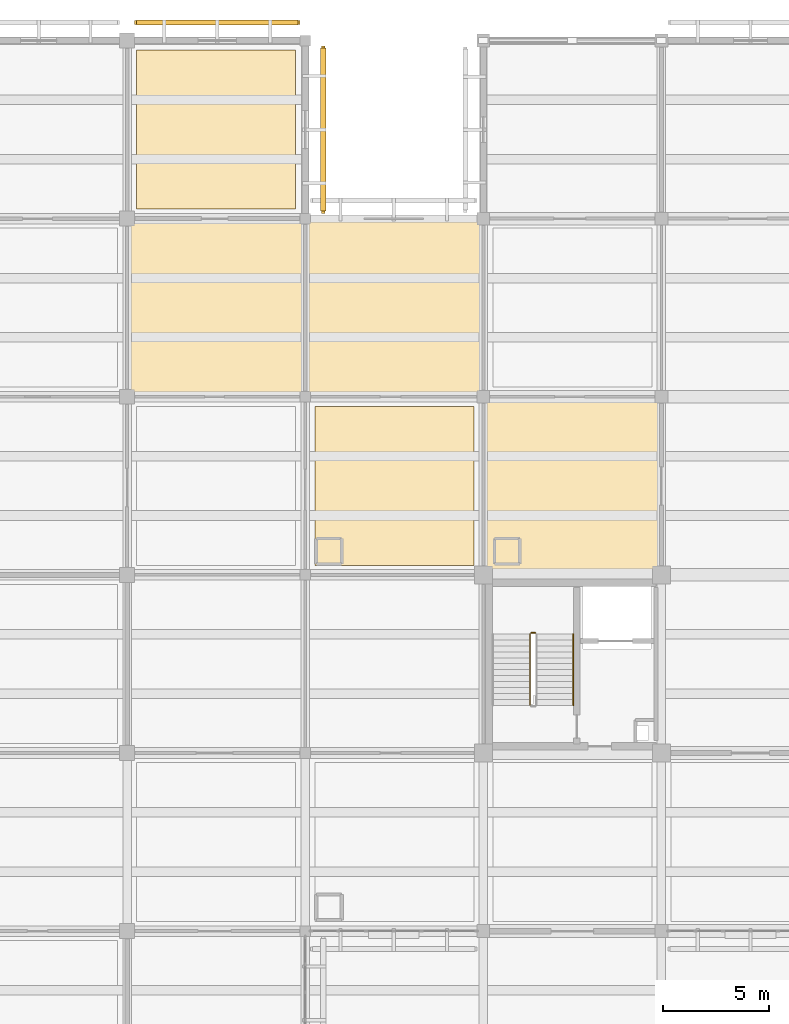
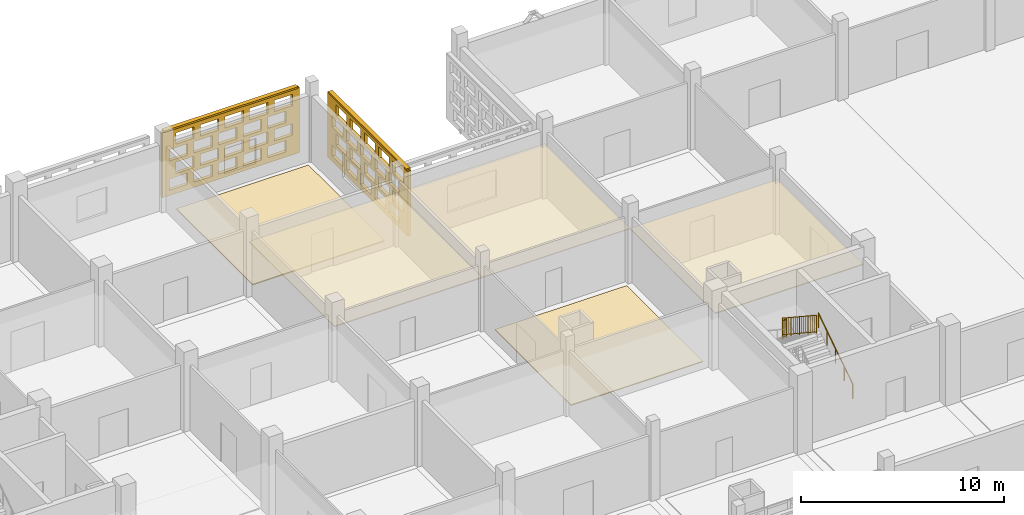
# One storey, part 102 of 129: 7 coverings, 3 railings, 2 shading devices, 40 openings.
"""IFC4 building model written with IfcOpenShell, lengths in metres."""

from ifc_helpers import new_model, si_unit, direction, frame, frame_2d, origin, origin_2d, place, context, subcontext, project, spatial, rectangle, circle, extrude, material, layer, layer_set, type_object, element, save


model = new_model("IFC4")

# Units and contexts
model_context = context("Model", 3, precision=1e-05, world=origin(), true_north=direction((0.0, 1.0)))
body_context = subcontext(model_context, "Body", "Model", "MODEL_VIEW")
ifc_project = project(units=[si_unit("LENGTHUNIT", "METRE"), si_unit("AREAUNIT", "SQUARE_METRE"), si_unit("VOLUMEUNIT", "CUBIC_METRE"), si_unit("PLANEANGLEUNIT", "RADIAN"), si_unit("MASSUNIT", "GRAM", prefix="KILO")], contexts=[model_context])

# Site, building, storey
site_placement = place(None, origin())
site = spatial("IfcSite", under=ifc_project, at=site_placement, CompositionType="ELEMENT")
building_placement = place(site_placement, origin())
building = spatial("IfcBuilding", under=site, at=building_placement, Name="Varnapada Polytechnic", CompositionType="ELEMENT")
storey_placement = place(building_placement, origin())
storey = spatial("IfcBuildingStorey", under=building, at=storey_placement, Name="L00", CompositionType="ELEMENT", Elevation=0.0)

# Coverings
ifc_material_1 = material(Name="Anti-Static Raised Laboratory Flooring")
ifc_layer_1 = layer(ifc_material_1, 0.06005859375)
ifc_layer_set_1 = layer_set([ifc_layer_1], Name="Anti-Static Raised Laboratory Flooring")
covering_type_1 = type_object("IfcCoveringType", Name="Floor Finish FLR-02", PredefinedType="FLOORING", material=ifc_layer_set_1)
covering_1_placement = place(storey_placement, frame((37.800048828125, 121.800048828125, 0.0), z_axis=(0.0, 0.0, 1.0), x_axis=(1.0, 0.0, 0.0)))
element("IfcCovering", 1, at=covering_1_placement, inside=storey, type_object=covering_type_1, Name="L00 floor finish panel (5,15)", PredefinedType="FLOORING", context=body_context, shape_type="SweptSolid", body=[
    extrude(rectangle(XDim=7.5, YDim=7.5, at=origin_2d()), origin(), (0.0, 0.0, 1.0), 0.06005859375),
])
ifc_material_2 = material(Name="End-Grain Timber Studio Block Flooring", Category="wood")
ifc_layer_2 = layer(ifc_material_2, 0.054931640625)
ifc_layer_set_2 = layer_set([ifc_layer_2], Name="End-Grain Timber Studio Block Flooring")
covering_type_2 = type_object("IfcCoveringType", Name="Floor Finish FLR-04", PredefinedType="FLOORING", material=ifc_layer_set_2)
covering_2_placement = place(storey_placement, frame((46.199951171875, 105.0, 0.0), z_axis=(0.0, 0.0, 1.0), x_axis=(1.0, 0.0, 0.0)))
element("IfcCovering", 2, at=covering_2_placement, inside=storey, type_object=covering_type_2, Name="L00 floor finish panel (6,13)", PredefinedType="FLOORING", context=body_context, shape_type="SweptSolid", body=[
    extrude(rectangle(XDim=7.5, YDim=7.5, at=origin_2d()), origin(), (0.0, 0.0, 1.0), 0.054931640625),
])

# Railings
ifc_material_3 = material(Name="Brushed Stainless Steel 316", Category="steel")
railing_type_1 = type_object("IfcRailingType", Name="Stair Wall Handrail SHR-01", PredefinedType="HANDRAIL", material=ifc_material_3)
railing_1_placement = place(storey_placement, frame((54.64990234375, 94.64990234375, 0.1845703125)))
element("IfcRailing", 3, at=railing_1_placement, inside=storey, type_object=railing_type_1, Name="L00 ST-4 stair handrail 1", PredefinedType="HANDRAIL", context=body_context, shape_type="SweptSolid", body=[
    extrude(circle(Radius=0.02392578125, at=origin_2d()), frame((0.0, 0.0, 0.8759765625), z_axis=(0.0, 0.834876476806, 0.550437342915), x_axis=(-1.0, 0.0, 0.0)), (0.0, 0.0, 1.0), 4.024658203125),
    extrude(circle(Radius=0.02099609375, at=origin_2d()), origin(), (0.0, 0.0, 1.0), 0.851806640625),
    extrude(circle(Radius=0.02099609375, at=origin_2d()), frame((0.0, 0.840087890625, 0.5537109375)), (0.0, 0.0, 1.0), 0.851806640625),
    extrude(circle(Radius=0.02099609375, at=origin_2d()), frame((0.0, 1.68017578125, 1.107666015625)), (0.0, 0.0, 1.0), 0.851806640625),
    extrude(circle(Radius=0.02099609375, at=origin_2d()), frame((0.0, 2.52001953125, 1.66162109375)), (0.0, 0.0, 1.0), 0.851806640625),
    extrude(circle(Radius=0.02099609375, at=origin_2d()), frame((0.0, 3.360107421875, 2.21533203125)), (0.0, 0.0, 1.0), 0.851806640625),
])
railing_type_2 = type_object("IfcRailingType", Name="Stair Well Guard Rail SGR-01", PredefinedType="BALUSTRADE", material=ifc_material_3)
railing_2_placement = place(storey_placement, frame((52.85009765625, 98.06005859375, 2.39990234375)))
element("IfcRailing", 4, at=railing_2_placement, inside=storey, type_object=railing_type_2, Name="L00 ST-4 stair guard 2", PredefinedType="BALUSTRADE", context=body_context, shape_type="SweptSolid", body=[
    extrude(circle(Radius=0.02392578125, at=origin_2d()), frame((0.0, 0.0, 1.09619140625), z_axis=(-1.0, 0.0, 0.0), x_axis=(0.0, -1.0, 0.0)), (0.0, 0.0, 1.0), 0.2001953125),
    extrude(circle(Radius=0.02392578125, at=origin_2d()), frame((0.0, 0.0, 0.10009765625), z_axis=(-1.0, 0.0, 0.0), x_axis=(0.0, -1.0, 0.0)), (0.0, 0.0, 1.0), 0.2001953125),
    extrude(circle(Radius=0.02099609375, at=origin_2d()), origin(), (0.0, 0.0, 1.0), 1.072021484375),
    extrude(circle(Radius=0.02099609375, at=origin_2d()), frame((-0.2001953125, 0.0, 0.0)), (0.0, 0.0, 1.0), 1.072021484375),
])
railing_3_placement = place(storey_placement, frame((52.60009765625, 98.010009765625, 2.584716796875)))
element("IfcRailing", 5, at=railing_3_placement, inside=storey, type_object=railing_type_2, Name="L00 ST-4 stair guard 3", PredefinedType="BALUSTRADE", context=body_context, shape_type="SweptSolid", body=[
    extrude(circle(Radius=0.02392578125, at=origin_2d()), frame((0.0, 0.0, 1.09619140625), z_axis=(0.0, -0.834876476806, 0.550437342915), x_axis=(1.0, 0.0, 0.0)), (0.0, 0.0, 1.0), 4.024658203125),
    extrude(circle(Radius=0.02392578125, at=origin_2d()), frame((0.0, 0.0, 0.10009765625), z_axis=(0.0, -0.834876476806, 0.550437342915), x_axis=(1.0, 0.0, 0.0)), (0.0, 0.0, 1.0), 4.024658203125),
    extrude(circle(Radius=0.02099609375, at=origin_2d()), origin(), (0.0, 0.0, 1.0), 1.072021484375),
    extrude(circle(Radius=0.02099609375, at=origin_2d()), frame((0.0, -0.840087890625, 0.5537109375)), (0.0, 0.0, 1.0), 1.072021484375),
    extrude(circle(Radius=0.02099609375, at=origin_2d()), frame((0.0, -1.68017578125, 1.107666015625)), (0.0, 0.0, 1.0), 1.072021484375),
    extrude(circle(Radius=0.02099609375, at=origin_2d()), frame((0.0, -2.52001953125, 1.66162109375)), (0.0, 0.0, 1.0), 1.072021484375),
    extrude(circle(Radius=0.02099609375, at=origin_2d()), frame((0.0, -3.360107421875, 2.21533203125)), (0.0, 0.0, 1.0), 1.072021484375),
    extrude(circle(Radius=0.010009765625, at=origin_2d()), frame((0.0, -0.2099609375, 0.238525390625)), (0.0, 0.0, 1.0), 0.971923828125),
    extrude(circle(Radius=0.010009765625, at=origin_2d()), frame((0.0, -0.419921875, 0.376953125)), (0.0, 0.0, 1.0), 0.971923828125),
    extrude(circle(Radius=0.010009765625, at=origin_2d()), frame((0.0, -0.630126953125, 0.515380859375)), (0.0, 0.0, 1.0), 0.971923828125),
    extrude(circle(Radius=0.010009765625, at=origin_2d()), frame((0.0, -0.840087890625, 0.65380859375)), (0.0, 0.0, 1.0), 0.971923828125),
    extrude(circle(Radius=0.010009765625, at=origin_2d()), frame((0.0, -1.050048828125, 0.79248046875)), (0.0, 0.0, 1.0), 0.971923828125),
    extrude(circle(Radius=0.010009765625, at=origin_2d()), frame((0.0, -1.260009765625, 0.930908203125)), (0.0, 0.0, 1.0), 0.971923828125),
    extrude(circle(Radius=0.010009765625, at=origin_2d()), frame((0.0, -1.469970703125, 1.0693359375)), (0.0, 0.0, 1.0), 0.971923828125),
    extrude(circle(Radius=0.010009765625, at=origin_2d()), frame((0.0, -1.68017578125, 1.207763671875)), (0.0, 0.0, 1.0), 0.971923828125),
    extrude(circle(Radius=0.010009765625, at=origin_2d()), frame((0.0, -1.89013671875, 1.34619140625)), (0.0, 0.0, 1.0), 0.971923828125),
    extrude(circle(Radius=0.010009765625, at=origin_2d()), frame((0.0, -2.10009765625, 1.484619140625)), (0.0, 0.0, 1.0), 0.971923828125),
    extrude(circle(Radius=0.010009765625, at=origin_2d()), frame((0.0, -2.31005859375, 1.623046875)), (0.0, 0.0, 1.0), 0.971923828125),
    extrude(circle(Radius=0.010009765625, at=origin_2d()), frame((0.0, -2.52001953125, 1.76171875)), (0.0, 0.0, 1.0), 0.971923828125),
    extrude(circle(Radius=0.010009765625, at=origin_2d()), frame((0.0, -2.72998046875, 1.900146484375)), (0.0, 0.0, 1.0), 0.971923828125),
    extrude(circle(Radius=0.010009765625, at=origin_2d()), frame((0.0, -2.940185546875, 2.03857421875)), (0.0, 0.0, 1.0), 0.971923828125),
    extrude(circle(Radius=0.010009765625, at=origin_2d()), frame((0.0, -3.150146484375, 2.177001953125)), (0.0, 0.0, 1.0), 0.971923828125),
])

# Coverings
ifc_material_4 = material(Name="Mineral Fibre Acoustic Ceiling Tile")
ifc_layer_3 = layer(ifc_material_4, 0.0400390625)
ifc_layer_set_3 = layer_set([ifc_layer_3], Name="Mineral Fibre Acoustic Ceiling Tile")
covering_type_3 = type_object("IfcCoveringType", Name="Suspended Ceiling CLG-01", PredefinedType="CEILING", material=ifc_layer_set_3)
covering_3_placement = place(storey_placement, frame((46.199951171875, 113.39990234375, 3.030029296875), z_axis=(0.0, 0.0, 1.0), x_axis=(1.0, 0.0, 0.0)))
element("IfcCovering", 6, at=covering_3_placement, inside=storey, type_object=covering_type_3, Name="L00 suspended acoustic ceiling (6,14)", PredefinedType="CEILING", context=body_context, shape_type="SweptSolid", body=[
    extrude(rectangle(XDim=8.419921875, YDim=8.419921875, at=origin_2d()), origin(), (0.0, 0.0, 1.0), 0.0400390625),
])
ifc_material_5 = material(Name="Slatted Merbau Timber Acoustic Ceiling", Category="wood")
ifc_layer_4 = layer(ifc_material_5, 0.054931640625)
ifc_layer_set_4 = layer_set([ifc_layer_4], Name="Slatted Merbau Timber Acoustic Ceiling")
covering_type_4 = type_object("IfcCoveringType", Name="Suspended Ceiling CLG-05", PredefinedType="CEILING", material=ifc_layer_set_4)
for number, where, z_axis, x_axis, name in (
    (7, (37.800048828125, 113.39990234375, 3.0224609375), (0.0, 0.0, 1.0), (1.0, 0.0, 0.0), "L00 suspended acoustic ceiling (5,14)"),
    (8, (54.60009765625, 105.0, 3.0224609375), (0.0, 0.0, 1.0), (1.0, 0.0, 0.0), "L00 suspended acoustic ceiling (7,13)"),
):
    element("IfcCovering", number, at=place(storey_placement, frame(where, z_axis=z_axis, x_axis=x_axis)), inside=storey, type_object=covering_type_4, Name=name, PredefinedType="CEILING", context=body_context, shape_type="SweptSolid", body=[
        extrude(rectangle(XDim=8.419921875, YDim=8.419921875, at=origin_2d()), origin(), (0.0, 0.0, 1.0), 0.054931640625),
    ])

# Covering, openings
ifc_material_6 = material(Name="Earth-toned architectural terracotta screen block", Category="masonry")
ifc_layer_5 = layer(ifc_material_6, 0.1201171875)
ifc_layer_set_5 = layer_set([ifc_layer_5], Name="Earth-toned architectural terracotta screen block")
covering_type_5 = type_object("IfcCoveringType", Name="Terracotta Screen Cladding CLD-01", PredefinedType="CLADDING", material=ifc_layer_set_5)
covering_4_placement = place(storey_placement, frame((33.949951171875, 126.85009765625, 0.0), z_axis=(0.0, 0.0, 1.0), x_axis=(1.0, 0.0, 0.0)))
covering_4 = element("IfcCovering", 9, at=covering_4_placement, inside=storey, type_object=covering_type_5, Name="L00 perforated terracotta block screen (30)", PredefinedType="CLADDING", context=body_context, shape_type="SweptSolid", body=[
    extrude(rectangle(XDim=7.800048828125, YDim=0.179931640625, at=frame_2d((3.89990234375, 0.0))), origin(), (0.0, 0.0, 1.0), 3.919921875),
])
opening_1_placement = place(covering_4_placement, frame((0.39990234375, 0.0, 0.313720703125)))
element("IfcOpeningElement", 10, at=opening_1_placement, cuts=covering_4, Name="Screen perforation TBS-L00-029.1", PredefinedType="OPENING", context=body_context, shape_type="SweptSolid", body=[
    extrude(rectangle(XDim=1.0400390625, YDim=0.679931640625, at=frame_2d((0.52001953125, 0.33984375))), frame((0.0, 0.099853515625, 0.0), z_axis=(0.0, -1.0, 0.0), x_axis=(1.0, 0.0, 0.0)), (0.0, 0.0, 1.0), 0.199951171875),
])
opening_2_placement = place(covering_4_placement, frame((1.800048828125, 0.0, 0.313720703125)))
element("IfcOpeningElement", 11, at=opening_2_placement, cuts=covering_4, Name="Screen perforation TBS-L00-029.2", PredefinedType="OPENING", context=body_context, shape_type="SweptSolid", body=[
    extrude(rectangle(XDim=1.0400390625, YDim=0.679931640625, at=frame_2d((0.52001953125, 0.33984375))), frame((0.0, 0.099853515625, 0.0), z_axis=(0.0, -1.0, 0.0), x_axis=(1.0, 0.0, 0.0)), (0.0, 0.0, 1.0), 0.199951171875),
])
opening_3_placement = place(covering_4_placement, frame((3.199951171875, 0.0, 0.313720703125)))
element("IfcOpeningElement", 12, at=opening_3_placement, cuts=covering_4, Name="Screen perforation TBS-L00-029.3", PredefinedType="OPENING", context=body_context, shape_type="SweptSolid", body=[
    extrude(rectangle(XDim=1.0400390625, YDim=0.679931640625, at=frame_2d((0.52001953125, 0.33984375))), frame((0.0, 0.099853515625, 0.0), z_axis=(0.0, -1.0, 0.0), x_axis=(1.0, 0.0, 0.0)), (0.0, 0.0, 1.0), 0.199951171875),
])
opening_4_placement = place(covering_4_placement, frame((4.60009765625, 0.0, 0.313720703125)))
element("IfcOpeningElement", 13, at=opening_4_placement, cuts=covering_4, Name="Screen perforation TBS-L00-029.4", PredefinedType="OPENING", context=body_context, shape_type="SweptSolid", body=[
    extrude(rectangle(XDim=1.0400390625, YDim=0.679931640625, at=frame_2d((0.52001953125, 0.33984375))), frame((0.0, 0.099853515625, 0.0), z_axis=(0.0, -1.0, 0.0), x_axis=(1.0, 0.0, 0.0)), (0.0, 0.0, 1.0), 0.199951171875),
])
opening_5_placement = place(covering_4_placement, frame((6.0, 0.0, 0.313720703125)))
element("IfcOpeningElement", 14, at=opening_5_placement, cuts=covering_4, Name="Screen perforation TBS-L00-029.5", PredefinedType="OPENING", context=body_context, shape_type="SweptSolid", body=[
    extrude(rectangle(XDim=1.0400390625, YDim=0.679931640625, at=frame_2d((0.52001953125, 0.33984375))), frame((0.0, 0.099853515625, 0.0), z_axis=(0.0, -1.0, 0.0), x_axis=(1.0, 0.0, 0.0)), (0.0, 0.0, 1.0), 0.199951171875),
])
opening_6_placement = place(covering_4_placement, frame((0.760009765625, 0.0, 1.195556640625)))
element("IfcOpeningElement", 15, at=opening_6_placement, cuts=covering_4, Name="Screen perforation TBS-L00-029.6", PredefinedType="OPENING", context=body_context, shape_type="SweptSolid", body=[
    extrude(rectangle(XDim=1.0400390625, YDim=0.679931640625, at=frame_2d((0.52001953125, 0.33984375))), frame((0.0, 0.099853515625, 0.0), z_axis=(0.0, -1.0, 0.0), x_axis=(1.0, 0.0, 0.0)), (0.0, 0.0, 1.0), 0.199951171875),
])
opening_7_placement = place(covering_4_placement, frame((2.159912109375, 0.0, 1.195556640625)))
element("IfcOpeningElement", 16, at=opening_7_placement, cuts=covering_4, Name="Screen perforation TBS-L00-029.7", PredefinedType="OPENING", context=body_context, shape_type="SweptSolid", body=[
    extrude(rectangle(XDim=1.0400390625, YDim=0.679931640625, at=frame_2d((0.52001953125, 0.33984375))), frame((0.0, 0.099853515625, 0.0), z_axis=(0.0, -1.0, 0.0), x_axis=(1.0, 0.0, 0.0)), (0.0, 0.0, 1.0), 0.199951171875),
])
opening_8_placement = place(covering_4_placement, frame((3.56005859375, 0.0, 1.195556640625)))
element("IfcOpeningElement", 17, at=opening_8_placement, cuts=covering_4, Name="Screen perforation TBS-L00-029.8", PredefinedType="OPENING", context=body_context, shape_type="SweptSolid", body=[
    extrude(rectangle(XDim=1.0400390625, YDim=0.679931640625, at=frame_2d((0.52001953125, 0.33984375))), frame((0.0, 0.099853515625, 0.0), z_axis=(0.0, -1.0, 0.0), x_axis=(1.0, 0.0, 0.0)), (0.0, 0.0, 1.0), 0.199951171875),
])
opening_9_placement = place(covering_4_placement, frame((4.9599609375, 0.0, 1.195556640625)))
element("IfcOpeningElement", 18, at=opening_9_placement, cuts=covering_4, Name="Screen perforation TBS-L00-029.9", PredefinedType="OPENING", context=body_context, shape_type="SweptSolid", body=[
    extrude(rectangle(XDim=1.0400390625, YDim=0.679931640625, at=frame_2d((0.52001953125, 0.33984375))), frame((0.0, 0.099853515625, 0.0), z_axis=(0.0, -1.0, 0.0), x_axis=(1.0, 0.0, 0.0)), (0.0, 0.0, 1.0), 0.199951171875),
])
opening_10_placement = place(covering_4_placement, frame((6.360107421875, 0.0, 1.195556640625)))
element("IfcOpeningElement", 19, at=opening_10_placement, cuts=covering_4, Name="Screen perforation TBS-L00-029.10", PredefinedType="OPENING", context=body_context, shape_type="SweptSolid", body=[
    extrude(rectangle(XDim=1.0400390625, YDim=0.679931640625, at=frame_2d((0.52001953125, 0.33984375))), frame((0.0, 0.099853515625, 0.0), z_axis=(0.0, -1.0, 0.0), x_axis=(1.0, 0.0, 0.0)), (0.0, 0.0, 1.0), 0.199951171875),
])
opening_11_placement = place(covering_4_placement, frame((0.39990234375, 0.0, 2.07763671875)))
element("IfcOpeningElement", 20, at=opening_11_placement, cuts=covering_4, Name="Screen perforation TBS-L00-029.11", PredefinedType="OPENING", context=body_context, shape_type="SweptSolid", body=[
    extrude(rectangle(XDim=1.0400390625, YDim=0.679931640625, at=frame_2d((0.52001953125, 0.33984375))), frame((0.0, 0.099853515625, 0.0), z_axis=(0.0, -1.0, 0.0), x_axis=(1.0, 0.0, 0.0)), (0.0, 0.0, 1.0), 0.199951171875),
])
opening_12_placement = place(covering_4_placement, frame((1.800048828125, 0.0, 2.07763671875)))
element("IfcOpeningElement", 21, at=opening_12_placement, cuts=covering_4, Name="Screen perforation TBS-L00-029.12", PredefinedType="OPENING", context=body_context, shape_type="SweptSolid", body=[
    extrude(rectangle(XDim=1.0400390625, YDim=0.679931640625, at=frame_2d((0.52001953125, 0.33984375))), frame((0.0, 0.099853515625, 0.0), z_axis=(0.0, -1.0, 0.0), x_axis=(1.0, 0.0, 0.0)), (0.0, 0.0, 1.0), 0.199951171875),
])
opening_13_placement = place(covering_4_placement, frame((3.199951171875, 0.0, 2.07763671875)))
element("IfcOpeningElement", 22, at=opening_13_placement, cuts=covering_4, Name="Screen perforation TBS-L00-029.13", PredefinedType="OPENING", context=body_context, shape_type="SweptSolid", body=[
    extrude(rectangle(XDim=1.0400390625, YDim=0.679931640625, at=frame_2d((0.52001953125, 0.33984375))), frame((0.0, 0.099853515625, 0.0), z_axis=(0.0, -1.0, 0.0), x_axis=(1.0, 0.0, 0.0)), (0.0, 0.0, 1.0), 0.199951171875),
])
opening_14_placement = place(covering_4_placement, frame((4.60009765625, 0.0, 2.07763671875)))
element("IfcOpeningElement", 23, at=opening_14_placement, cuts=covering_4, Name="Screen perforation TBS-L00-029.14", PredefinedType="OPENING", context=body_context, shape_type="SweptSolid", body=[
    extrude(rectangle(XDim=1.0400390625, YDim=0.679931640625, at=frame_2d((0.52001953125, 0.33984375))), frame((0.0, 0.099853515625, 0.0), z_axis=(0.0, -1.0, 0.0), x_axis=(1.0, 0.0, 0.0)), (0.0, 0.0, 1.0), 0.199951171875),
])
opening_15_placement = place(covering_4_placement, frame((6.0, 0.0, 2.07763671875)))
element("IfcOpeningElement", 24, at=opening_15_placement, cuts=covering_4, Name="Screen perforation TBS-L00-029.15", PredefinedType="OPENING", context=body_context, shape_type="SweptSolid", body=[
    extrude(rectangle(XDim=1.0400390625, YDim=0.679931640625, at=frame_2d((0.52001953125, 0.33984375))), frame((0.0, 0.099853515625, 0.0), z_axis=(0.0, -1.0, 0.0), x_axis=(1.0, 0.0, 0.0)), (0.0, 0.0, 1.0), 0.199951171875),
])
opening_16_placement = place(covering_4_placement, frame((0.760009765625, 0.0, 2.959716796875)))
element("IfcOpeningElement", 25, at=opening_16_placement, cuts=covering_4, Name="Screen perforation TBS-L00-029.16", PredefinedType="OPENING", context=body_context, shape_type="SweptSolid", body=[
    extrude(rectangle(XDim=1.0400390625, YDim=0.679931640625, at=frame_2d((0.52001953125, 0.33984375))), frame((0.0, 0.099853515625, 0.0), z_axis=(0.0, -1.0, 0.0), x_axis=(1.0, 0.0, 0.0)), (0.0, 0.0, 1.0), 0.199951171875),
])
opening_17_placement = place(covering_4_placement, frame((2.159912109375, 0.0, 2.959716796875)))
element("IfcOpeningElement", 26, at=opening_17_placement, cuts=covering_4, Name="Screen perforation TBS-L00-029.17", PredefinedType="OPENING", context=body_context, shape_type="SweptSolid", body=[
    extrude(rectangle(XDim=1.0400390625, YDim=0.679931640625, at=frame_2d((0.52001953125, 0.33984375))), frame((0.0, 0.099853515625, 0.0), z_axis=(0.0, -1.0, 0.0), x_axis=(1.0, 0.0, 0.0)), (0.0, 0.0, 1.0), 0.199951171875),
])
opening_18_placement = place(covering_4_placement, frame((3.56005859375, 0.0, 2.959716796875)))
element("IfcOpeningElement", 27, at=opening_18_placement, cuts=covering_4, Name="Screen perforation TBS-L00-029.18", PredefinedType="OPENING", context=body_context, shape_type="SweptSolid", body=[
    extrude(rectangle(XDim=1.0400390625, YDim=0.679931640625, at=frame_2d((0.52001953125, 0.33984375))), frame((0.0, 0.099853515625, 0.0), z_axis=(0.0, -1.0, 0.0), x_axis=(1.0, 0.0, 0.0)), (0.0, 0.0, 1.0), 0.199951171875),
])
opening_19_placement = place(covering_4_placement, frame((4.9599609375, 0.0, 2.959716796875)))
element("IfcOpeningElement", 28, at=opening_19_placement, cuts=covering_4, Name="Screen perforation TBS-L00-029.19", PredefinedType="OPENING", context=body_context, shape_type="SweptSolid", body=[
    extrude(rectangle(XDim=1.0400390625, YDim=0.679931640625, at=frame_2d((0.52001953125, 0.33984375))), frame((0.0, 0.099853515625, 0.0), z_axis=(0.0, -1.0, 0.0), x_axis=(1.0, 0.0, 0.0)), (0.0, 0.0, 1.0), 0.199951171875),
])
opening_20_placement = place(covering_4_placement, frame((6.360107421875, 0.0, 2.959716796875)))
element("IfcOpeningElement", 29, at=opening_20_placement, cuts=covering_4, Name="Screen perforation TBS-L00-029.20", PredefinedType="OPENING", context=body_context, shape_type="SweptSolid", body=[
    extrude(rectangle(XDim=1.0400390625, YDim=0.679931640625, at=frame_2d((0.52001953125, 0.33984375))), frame((0.0, 0.099853515625, 0.0), z_axis=(0.0, -1.0, 0.0), x_axis=(1.0, 0.0, 0.0)), (0.0, 0.0, 1.0), 0.199951171875),
])

covering_5_placement = place(storey_placement, frame((42.85009765625, 125.75, 0.0), z_axis=(0.0, 0.0, 1.0), x_axis=(0.0, -1.0, 0.0)))
covering_5 = element("IfcCovering", 30, at=covering_5_placement, inside=storey, type_object=covering_type_5, Name="L00 perforated terracotta block screen (31)", PredefinedType="CLADDING", context=body_context, shape_type="SweptSolid", body=[
    extrude(rectangle(XDim=7.89990234375, YDim=0.179931640625, at=frame_2d((3.949951171875, 0.0))), origin(), (0.0, 0.0, 1.0), 3.919921875),
])
opening_21_placement = place(covering_5_placement, frame((0.449951171875, 0.0, 0.313720703125)))
element("IfcOpeningElement", 31, at=opening_21_placement, cuts=covering_5, Name="Screen perforation TBS-L00-030.1", PredefinedType="OPENING", context=body_context, shape_type="SweptSolid", body=[
    extrude(rectangle(XDim=1.0400390625, YDim=0.679931640625, at=frame_2d((0.52001953125, 0.33984375))), frame((0.0, 0.099853515625, 0.0), z_axis=(0.0, -1.0, 0.0), x_axis=(1.0, 0.0, 0.0)), (0.0, 0.0, 1.0), 0.199951171875),
])
opening_22_placement = place(covering_5_placement, frame((1.85009765625, 0.0, 0.313720703125)))
element("IfcOpeningElement", 32, at=opening_22_placement, cuts=covering_5, Name="Screen perforation TBS-L00-030.2", PredefinedType="OPENING", context=body_context, shape_type="SweptSolid", body=[
    extrude(rectangle(XDim=1.0400390625, YDim=0.679931640625, at=frame_2d((0.52001953125, 0.33984375))), frame((0.0, 0.099853515625, 0.0), z_axis=(0.0, -1.0, 0.0), x_axis=(1.0, 0.0, 0.0)), (0.0, 0.0, 1.0), 0.199951171875),
])
opening_23_placement = place(covering_5_placement, frame((3.25, 0.0, 0.313720703125)))
element("IfcOpeningElement", 33, at=opening_23_placement, cuts=covering_5, Name="Screen perforation TBS-L00-030.3", PredefinedType="OPENING", context=body_context, shape_type="SweptSolid", body=[
    extrude(rectangle(XDim=1.0400390625, YDim=0.679931640625, at=frame_2d((0.52001953125, 0.33984375))), frame((0.0, 0.099853515625, 0.0), z_axis=(0.0, -1.0, 0.0), x_axis=(1.0, 0.0, 0.0)), (0.0, 0.0, 1.0), 0.199951171875),
])
opening_24_placement = place(covering_5_placement, frame((4.64990234375, 0.0, 0.313720703125)))
element("IfcOpeningElement", 34, at=opening_24_placement, cuts=covering_5, Name="Screen perforation TBS-L00-030.4", PredefinedType="OPENING", context=body_context, shape_type="SweptSolid", body=[
    extrude(rectangle(XDim=1.0400390625, YDim=0.679931640625, at=frame_2d((0.52001953125, 0.33984375))), frame((0.0, 0.099853515625, 0.0), z_axis=(0.0, -1.0, 0.0), x_axis=(1.0, 0.0, 0.0)), (0.0, 0.0, 1.0), 0.199951171875),
])
opening_25_placement = place(covering_5_placement, frame((6.050048828125, 0.0, 0.313720703125)))
element("IfcOpeningElement", 35, at=opening_25_placement, cuts=covering_5, Name="Screen perforation TBS-L00-030.5", PredefinedType="OPENING", context=body_context, shape_type="SweptSolid", body=[
    extrude(rectangle(XDim=1.0400390625, YDim=0.679931640625, at=frame_2d((0.52001953125, 0.33984375))), frame((0.0, 0.099853515625, 0.0), z_axis=(0.0, -1.0, 0.0), x_axis=(1.0, 0.0, 0.0)), (0.0, 0.0, 1.0), 0.199951171875),
])
opening_26_placement = place(covering_5_placement, frame((0.81005859375, 0.0, 1.195556640625)))
element("IfcOpeningElement", 36, at=opening_26_placement, cuts=covering_5, Name="Screen perforation TBS-L00-030.6", PredefinedType="OPENING", context=body_context, shape_type="SweptSolid", body=[
    extrude(rectangle(XDim=1.0400390625, YDim=0.679931640625, at=frame_2d((0.52001953125, 0.33984375))), frame((0.0, 0.099853515625, 0.0), z_axis=(0.0, -1.0, 0.0), x_axis=(1.0, 0.0, 0.0)), (0.0, 0.0, 1.0), 0.199951171875),
])
opening_27_placement = place(covering_5_placement, frame((2.2099609375, 0.0, 1.195556640625)))
element("IfcOpeningElement", 37, at=opening_27_placement, cuts=covering_5, Name="Screen perforation TBS-L00-030.7", PredefinedType="OPENING", context=body_context, shape_type="SweptSolid", body=[
    extrude(rectangle(XDim=1.0400390625, YDim=0.679931640625, at=frame_2d((0.52001953125, 0.33984375))), frame((0.0, 0.099853515625, 0.0), z_axis=(0.0, -1.0, 0.0), x_axis=(1.0, 0.0, 0.0)), (0.0, 0.0, 1.0), 0.199951171875),
])
opening_28_placement = place(covering_5_placement, frame((3.610107421875, 0.0, 1.195556640625)))
element("IfcOpeningElement", 38, at=opening_28_placement, cuts=covering_5, Name="Screen perforation TBS-L00-030.8", PredefinedType="OPENING", context=body_context, shape_type="SweptSolid", body=[
    extrude(rectangle(XDim=1.0400390625, YDim=0.679931640625, at=frame_2d((0.52001953125, 0.33984375))), frame((0.0, 0.099853515625, 0.0), z_axis=(0.0, -1.0, 0.0), x_axis=(1.0, 0.0, 0.0)), (0.0, 0.0, 1.0), 0.199951171875),
])
opening_29_placement = place(covering_5_placement, frame((5.010009765625, 0.0, 1.195556640625)))
element("IfcOpeningElement", 39, at=opening_29_placement, cuts=covering_5, Name="Screen perforation TBS-L00-030.9", PredefinedType="OPENING", context=body_context, shape_type="SweptSolid", body=[
    extrude(rectangle(XDim=1.0400390625, YDim=0.679931640625, at=frame_2d((0.52001953125, 0.33984375))), frame((0.0, 0.099853515625, 0.0), z_axis=(0.0, -1.0, 0.0), x_axis=(1.0, 0.0, 0.0)), (0.0, 0.0, 1.0), 0.199951171875),
])
opening_30_placement = place(covering_5_placement, frame((6.409912109375, 0.0, 1.195556640625)))
element("IfcOpeningElement", 40, at=opening_30_placement, cuts=covering_5, Name="Screen perforation TBS-L00-030.10", PredefinedType="OPENING", context=body_context, shape_type="SweptSolid", body=[
    extrude(rectangle(XDim=1.0400390625, YDim=0.679931640625, at=frame_2d((0.52001953125, 0.33984375))), frame((0.0, 0.099853515625, 0.0), z_axis=(0.0, -1.0, 0.0), x_axis=(1.0, 0.0, 0.0)), (0.0, 0.0, 1.0), 0.199951171875),
])
opening_31_placement = place(covering_5_placement, frame((0.449951171875, 0.0, 2.07763671875)))
element("IfcOpeningElement", 41, at=opening_31_placement, cuts=covering_5, Name="Screen perforation TBS-L00-030.11", PredefinedType="OPENING", context=body_context, shape_type="SweptSolid", body=[
    extrude(rectangle(XDim=1.0400390625, YDim=0.679931640625, at=frame_2d((0.52001953125, 0.33984375))), frame((0.0, 0.099853515625, 0.0), z_axis=(0.0, -1.0, 0.0), x_axis=(1.0, 0.0, 0.0)), (0.0, 0.0, 1.0), 0.199951171875),
])
opening_32_placement = place(covering_5_placement, frame((1.85009765625, 0.0, 2.07763671875)))
element("IfcOpeningElement", 42, at=opening_32_placement, cuts=covering_5, Name="Screen perforation TBS-L00-030.12", PredefinedType="OPENING", context=body_context, shape_type="SweptSolid", body=[
    extrude(rectangle(XDim=1.0400390625, YDim=0.679931640625, at=frame_2d((0.52001953125, 0.33984375))), frame((0.0, 0.099853515625, 0.0), z_axis=(0.0, -1.0, 0.0), x_axis=(1.0, 0.0, 0.0)), (0.0, 0.0, 1.0), 0.199951171875),
])
opening_33_placement = place(covering_5_placement, frame((3.25, 0.0, 2.07763671875)))
element("IfcOpeningElement", 43, at=opening_33_placement, cuts=covering_5, Name="Screen perforation TBS-L00-030.13", PredefinedType="OPENING", context=body_context, shape_type="SweptSolid", body=[
    extrude(rectangle(XDim=1.0400390625, YDim=0.679931640625, at=frame_2d((0.52001953125, 0.33984375))), frame((0.0, 0.099853515625, 0.0), z_axis=(0.0, -1.0, 0.0), x_axis=(1.0, 0.0, 0.0)), (0.0, 0.0, 1.0), 0.199951171875),
])
opening_34_placement = place(covering_5_placement, frame((4.64990234375, 0.0, 2.07763671875)))
element("IfcOpeningElement", 44, at=opening_34_placement, cuts=covering_5, Name="Screen perforation TBS-L00-030.14", PredefinedType="OPENING", context=body_context, shape_type="SweptSolid", body=[
    extrude(rectangle(XDim=1.0400390625, YDim=0.679931640625, at=frame_2d((0.52001953125, 0.33984375))), frame((0.0, 0.099853515625, 0.0), z_axis=(0.0, -1.0, 0.0), x_axis=(1.0, 0.0, 0.0)), (0.0, 0.0, 1.0), 0.199951171875),
])
opening_35_placement = place(covering_5_placement, frame((6.050048828125, 0.0, 2.07763671875)))
element("IfcOpeningElement", 45, at=opening_35_placement, cuts=covering_5, Name="Screen perforation TBS-L00-030.15", PredefinedType="OPENING", context=body_context, shape_type="SweptSolid", body=[
    extrude(rectangle(XDim=1.0400390625, YDim=0.679931640625, at=frame_2d((0.52001953125, 0.33984375))), frame((0.0, 0.099853515625, 0.0), z_axis=(0.0, -1.0, 0.0), x_axis=(1.0, 0.0, 0.0)), (0.0, 0.0, 1.0), 0.199951171875),
])
opening_36_placement = place(covering_5_placement, frame((0.81005859375, 0.0, 2.959716796875)))
element("IfcOpeningElement", 46, at=opening_36_placement, cuts=covering_5, Name="Screen perforation TBS-L00-030.16", PredefinedType="OPENING", context=body_context, shape_type="SweptSolid", body=[
    extrude(rectangle(XDim=1.0400390625, YDim=0.679931640625, at=frame_2d((0.52001953125, 0.33984375))), frame((0.0, 0.099853515625, 0.0), z_axis=(0.0, -1.0, 0.0), x_axis=(1.0, 0.0, 0.0)), (0.0, 0.0, 1.0), 0.199951171875),
])
opening_37_placement = place(covering_5_placement, frame((2.2099609375, 0.0, 2.959716796875)))
element("IfcOpeningElement", 47, at=opening_37_placement, cuts=covering_5, Name="Screen perforation TBS-L00-030.17", PredefinedType="OPENING", context=body_context, shape_type="SweptSolid", body=[
    extrude(rectangle(XDim=1.0400390625, YDim=0.679931640625, at=frame_2d((0.52001953125, 0.33984375))), frame((0.0, 0.099853515625, 0.0), z_axis=(0.0, -1.0, 0.0), x_axis=(1.0, 0.0, 0.0)), (0.0, 0.0, 1.0), 0.199951171875),
])
opening_38_placement = place(covering_5_placement, frame((3.610107421875, 0.0, 2.959716796875)))
element("IfcOpeningElement", 48, at=opening_38_placement, cuts=covering_5, Name="Screen perforation TBS-L00-030.18", PredefinedType="OPENING", context=body_context, shape_type="SweptSolid", body=[
    extrude(rectangle(XDim=1.0400390625, YDim=0.679931640625, at=frame_2d((0.52001953125, 0.33984375))), frame((0.0, 0.099853515625, 0.0), z_axis=(0.0, -1.0, 0.0), x_axis=(1.0, 0.0, 0.0)), (0.0, 0.0, 1.0), 0.199951171875),
])
opening_39_placement = place(covering_5_placement, frame((5.010009765625, 0.0, 2.959716796875)))
element("IfcOpeningElement", 49, at=opening_39_placement, cuts=covering_5, Name="Screen perforation TBS-L00-030.19", PredefinedType="OPENING", context=body_context, shape_type="SweptSolid", body=[
    extrude(rectangle(XDim=1.0400390625, YDim=0.679931640625, at=frame_2d((0.52001953125, 0.33984375))), frame((0.0, 0.099853515625, 0.0), z_axis=(0.0, -1.0, 0.0), x_axis=(1.0, 0.0, 0.0)), (0.0, 0.0, 1.0), 0.199951171875),
])
opening_40_placement = place(covering_5_placement, frame((6.409912109375, 0.0, 2.959716796875)))
element("IfcOpeningElement", 50, at=opening_40_placement, cuts=covering_5, Name="Screen perforation TBS-L00-030.20", PredefinedType="OPENING", context=body_context, shape_type="SweptSolid", body=[
    extrude(rectangle(XDim=1.0400390625, YDim=0.679931640625, at=frame_2d((0.52001953125, 0.33984375))), frame((0.0, 0.099853515625, 0.0), z_axis=(0.0, -1.0, 0.0), x_axis=(1.0, 0.0, 0.0)), (0.0, 0.0, 1.0), 0.199951171875),
])

# Shading devices
ifc_layer_6 = layer(ifc_material_6, 0.179931640625)
ifc_layer_set_6 = layer_set([ifc_layer_6], Name="Earth-toned architectural terracotta screen block")
shading_device_type = type_object("IfcShadingDeviceType", Name="Terracotta Screen SCR-02", PredefinedType="USERDEFINED", material=ifc_layer_set_6)
shading_device_1_placement = place(storey_placement, frame((37.85009765625, 126.85009765625, 3.909912109375), z_axis=(0.0, 0.0, 1.0), x_axis=(1.0, 0.0, 0.0)))
element("IfcShadingDevice", 51, at=shading_device_1_placement, inside=storey, type_object=shading_device_type, Name="L00 perforated terracotta screen hood 25", ObjectType="SCREEN", PredefinedType="USERDEFINED", context=body_context, shape_type="SweptSolid", body=[
    extrude(rectangle(XDim=7.60009765625, YDim=0.239990234375, at=origin_2d()), origin(), (0.0, 0.0, 1.0), 0.10009765625),
])
shading_device_2_placement = place(storey_placement, frame((42.85009765625, 121.800048828125, 3.909912109375), z_axis=(0.0, 0.0, 1.0), x_axis=(0.0, -1.0, 0.0)))
element("IfcShadingDevice", 52, at=shading_device_2_placement, inside=storey, type_object=shading_device_type, Name="L00 perforated terracotta screen hood 26", ObjectType="SCREEN", PredefinedType="USERDEFINED", context=body_context, shape_type="SweptSolid", body=[
    extrude(rectangle(XDim=7.699951171875, YDim=0.239990234375, at=origin_2d()), origin(), (0.0, 0.0, 1.0), 0.10009765625),
])

save(model, "model.ifc")
